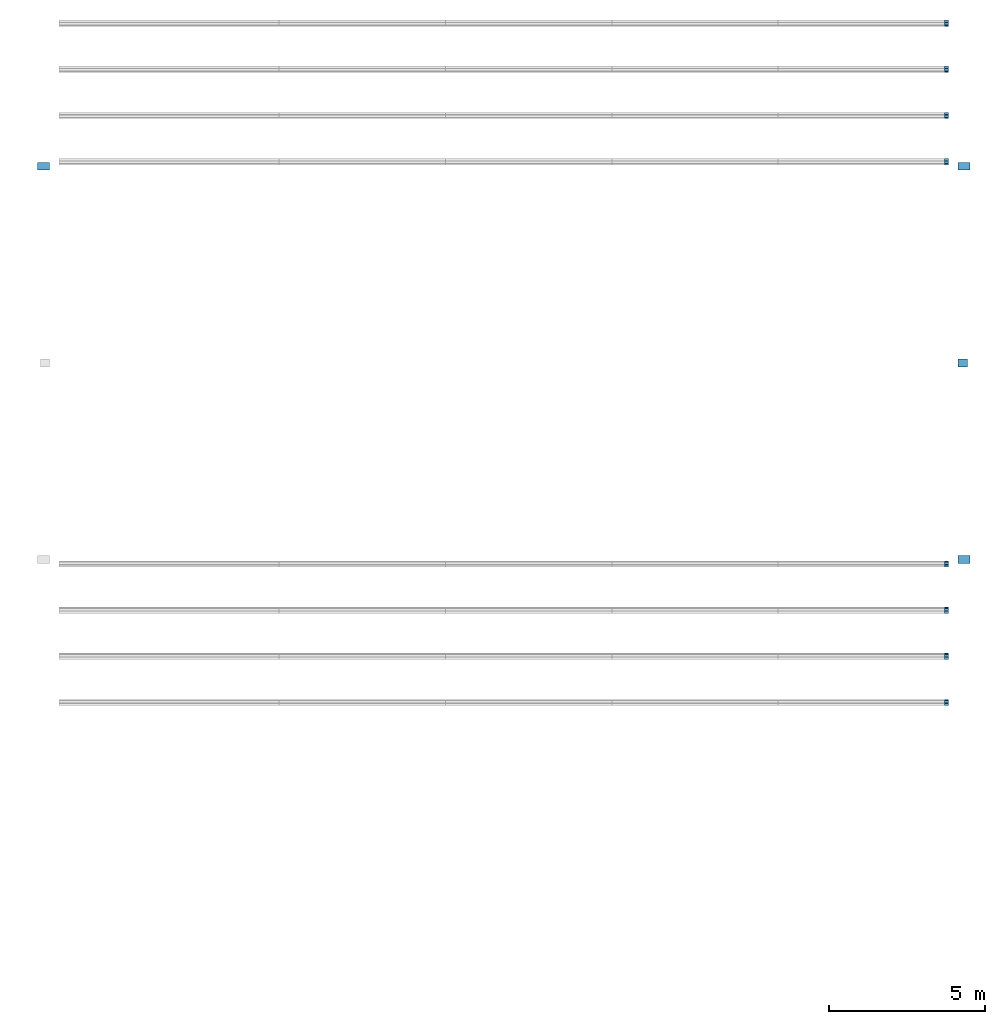
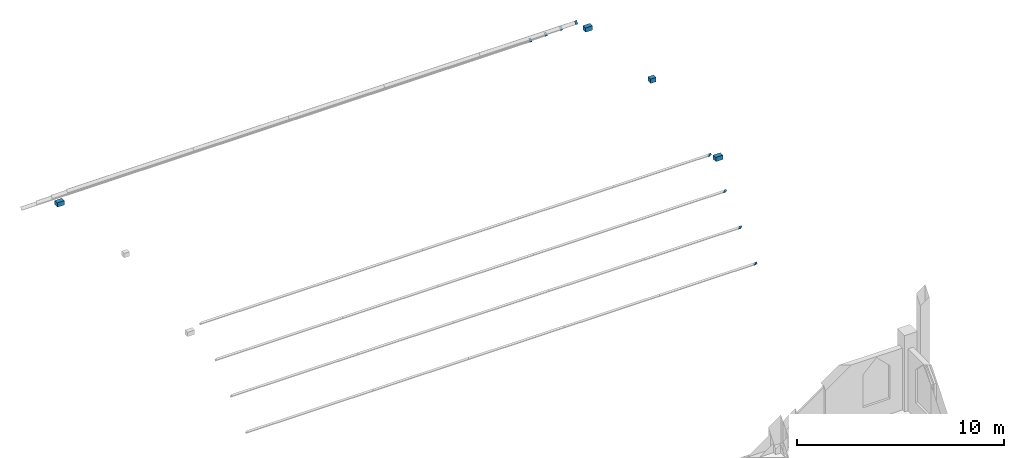
# One storey, part 2 of 7: 12 members.
"""IFC4 building model written with IfcOpenShell, lengths in metres."""

from ifc_helpers import new_model, si_unit, direction, frame, origin, origin_2d, place, context, subcontext, project, spatial, rectangle, i_section, extrude, material, material_profile, profile_set, type_object, element, save


model = new_model("IFC4")

# Units and contexts
model_context = context("Model", 3, precision=1e-05, world=origin(), true_north=direction((0.0, 1.0)))
body_context = subcontext(model_context, "Body", "Model", "MODEL_VIEW")
ifc_project = project(units=[si_unit("LENGTHUNIT", "METRE"), si_unit("AREAUNIT", "SQUARE_METRE"), si_unit("VOLUMEUNIT", "CUBIC_METRE"), si_unit("PLANEANGLEUNIT", "RADIAN"), si_unit("MASSUNIT", "GRAM", prefix="KILO")], contexts=[model_context])

# Site, building, storey
site_placement = place(None, origin())
site = spatial("IfcSite", under=ifc_project, at=site_placement, CompositionType="ELEMENT")
building_placement = place(site_placement, origin())
building = spatial("IfcBuilding", under=site, at=building_placement, Name="Silangan Lancet Faculty of Sciences", CompositionType="ELEMENT")
storey_placement = place(building_placement, frame((0.0, 0.0, 58.800048828125)))
storey = spatial("IfcBuildingStorey", under=building, at=storey_placement, Name="L12", CompositionType="ELEMENT", Elevation=58.800048828125)

# Members
ifc_material_1 = material(Name="Steel S355", Category="steel")
ifc_material_profile_1 = material_profile(ifc_material_1, rectangle(XDim=0.25, YDim=0.25, at=origin_2d()), Name="steel 250x250")
ifc_profile_set_1 = profile_set([ifc_material_profile_1], Name="Steel S355")
member_type_1 = type_object("IfcMemberType", Name="Gable truss bracket 250", PredefinedType="MEMBER", material=ifc_profile_set_1)
for number, where, z_axis, x_axis, name in (
    (1, (-0.14990234375, 53.10009765625, 3.121337890625), (-1.0, 0.0, 0.0), (0.0, -1.0, 0.0), "Gable truss bracket RB2"),
    (2, (28.949951171875, 40.5, 3.121337890625), (1.0, 0.0, 0.0), (0.0, 1.0, 0.0), "Gable truss bracket RA2"),
    (3, (28.949951171875, 53.10009765625, 3.121337890625), (1.0, 0.0, 0.0), (0.0, 1.0, 0.0), "Gable truss bracket RB2"),
):
    element("IfcMember", number, at=place(storey_placement, frame(where, z_axis=z_axis, x_axis=x_axis)), inside=storey, type_object=member_type_1, Name=name, PredefinedType="MEMBER", context=body_context, shape_type="SweptSolid", body=[
        extrude(rectangle(XDim=0.25, YDim=0.25, at=origin_2d()), origin(), (0.0, 0.0, 1.0), 0.39599609375),
    ])
member_placement = place(storey_placement, frame((28.949951171875, 46.800048828125, 3.923583984375), z_axis=(1.0, 0.0, 0.0), x_axis=(0.0, 1.0, 0.0)))
element("IfcMember", 4, at=member_placement, inside=storey, type_object=member_type_1, Name="Gable truss bracket K", PredefinedType="MEMBER", context=body_context, shape_type="SweptSolid", body=[
    extrude(rectangle(XDim=0.25, YDim=0.25, at=origin_2d()), origin(), (0.0, 0.0, 1.0), 0.300048828125),
])
ifc_material_2 = material(Name="Steel SS400", Category="steel")
ifc_material_profile_2 = material_profile(ifc_material_2, i_section(OverallWidth=0.10009765625, OverallDepth=0.199951171875, WebThickness=0.005615234375, FlangeThickness=0.008056640625, FilletRadius=0.008056640625, at=origin_2d()), Name="H 200x100x5.5x8")
ifc_profile_set_2 = profile_set([ifc_material_profile_2], Name="Steel SS400")
member_type_2 = type_object("IfcMemberType", Name="Sheeting purlin H 200x100x5.5x8", PredefinedType="PURLIN", material=ifc_profile_set_2)
for number, where, z_axis, x_axis, name in (
    (5, (28.52490234375, 35.91748046875, -0.186279296875), (1.0, 0.0, 0.0), (0.0, 0.765704867842, 0.64319208279), "Gable purlin 6S2"),
    (6, (28.52490234375, 37.396728515625, 1.05615234375), (1.0, 0.0, 0.0), (0.0, 0.765704867842, 0.64319208279), "Gable purlin 6S3"),
    (7, (28.52490234375, 38.8759765625, 2.298828125), (1.0, 0.0, 0.0), (0.0, 0.765704867842, 0.64319208279), "Gable purlin 6S4"),
    (8, (28.52490234375, 40.355224609375, 3.54150390625), (1.0, 0.0, 0.0), (0.0, 0.765704867842, 0.64319208279), "Gable purlin 6S5"),
    (9, (28.52490234375, 57.6826171875, -0.186279296875), (1.0, 0.0, 0.0), (0.0, 0.765704867842, -0.64319208279), "Gable purlin 6N2"),
    (10, (28.52490234375, 56.203369140625, 1.05615234375), (1.0, 0.0, 0.0), (0.0, 0.765704867842, -0.64319208279), "Gable purlin 6N3"),
    (11, (28.52490234375, 54.72412109375, 2.298828125), (1.0, 0.0, 0.0), (0.0, 0.765704867842, -0.64319208279), "Gable purlin 6N4"),
    (12, (28.52490234375, 53.24462890625, 3.54150390625), (1.0, 0.0, 0.0), (0.0, 0.765704867842, -0.64319208279), "Gable purlin 6N5"),
):
    element("IfcMember", number, at=place(storey_placement, frame(where, z_axis=z_axis, x_axis=x_axis)), inside=storey, type_object=member_type_2, Name=name, PredefinedType="PURLIN", context=body_context, shape_type="SweptSolid", body=[
        extrude(i_section(OverallWidth=0.10009765625, OverallDepth=0.199951171875, WebThickness=0.005615234375, FlangeThickness=0.008056640625, FilletRadius=0.008056640625, at=origin_2d()), origin(), (0.0, 0.0, 1.0), 0.125),
    ])

save(model, "model.ifc")
